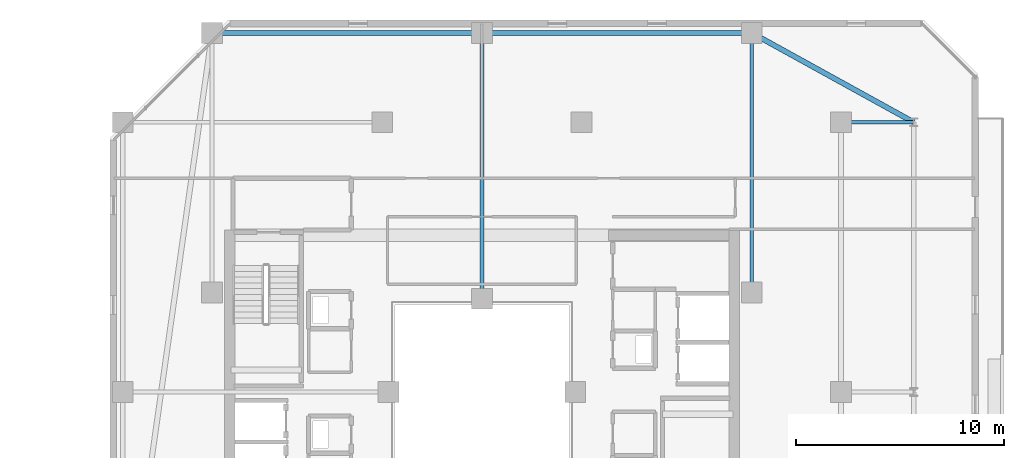
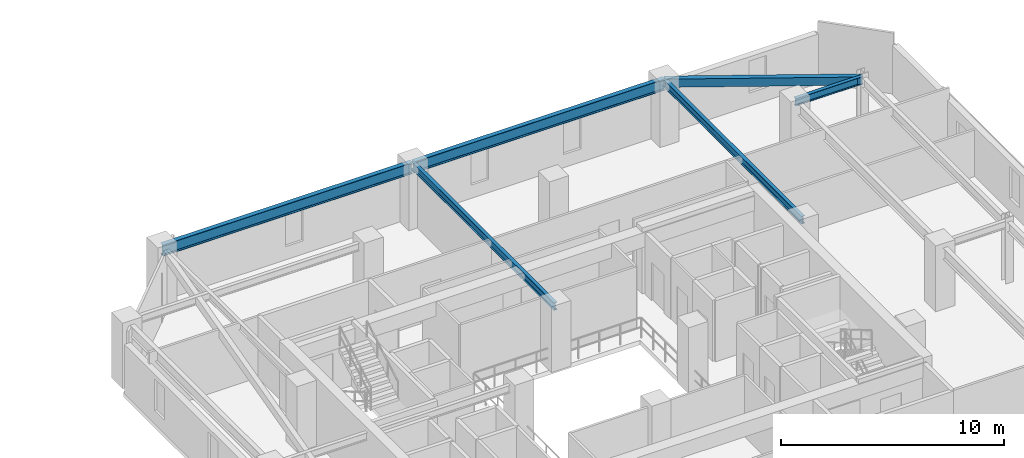
# One storey, part 15 of 31: 6 beams.
"""IFC4 building model written with IfcOpenShell, lengths in metres."""

from ifc_helpers import new_model, si_unit, direction, frame, origin, origin_2d, place, context, subcontext, project, spatial, hollow_rectangle, i_section, extrude, material, material_profile, profile_set, type_object, element, save


model = new_model("IFC4")

# Units and contexts
model_context = context("Model", 3, precision=1e-05, world=origin(), true_north=direction((0.0, 1.0)))
body_context = subcontext(model_context, "Body", "Model", "MODEL_VIEW")
ifc_project = project(units=[si_unit("LENGTHUNIT", "METRE"), si_unit("AREAUNIT", "SQUARE_METRE"), si_unit("VOLUMEUNIT", "CUBIC_METRE"), si_unit("PLANEANGLEUNIT", "RADIAN"), si_unit("MASSUNIT", "GRAM", prefix="KILO")], contexts=[model_context])

# Site, building, storey
site_placement = place(None, origin())
site = spatial("IfcSite", under=ifc_project, at=site_placement, CompositionType="ELEMENT")
building_placement = place(site_placement, origin())
building = spatial("IfcBuilding", under=site, at=building_placement, Name="Thornwick Lancets Civic Towers", CompositionType="ELEMENT")
storey_placement = place(building_placement, frame((0.0, 0.0, 236.699951171875)))
storey = spatial("IfcBuildingStorey", under=building, at=storey_placement, Name="L63", CompositionType="ELEMENT", Elevation=236.699951171875)

# Beams
ifc_material = material(Name="Steel S355JR", Category="steel")
ifc_material_profile_1 = material_profile(ifc_material, i_section(OverallWidth=0.230224609375, OverallDepth=0.6171875, WebThickness=0.01318359375, FlangeThickness=0.022216796875, FilletRadius=0.0126953125, at=origin_2d()), Name="UKB 610x229x140")
ifc_profile_set_1 = profile_set([ifc_material_profile_1], Name="Steel S355JR")
beam_type_1 = type_object("IfcBeamType", Name="BM_GIRD_610_140", PredefinedType="BEAM", material=ifc_profile_set_1)
beam_1_placement = place(storey_placement, frame((101.5, 44.300048828125, 3.051513671875), z_axis=(-1.0, 0.0, 0.0), x_axis=(0.0, -1.0, 0.0)))
element("IfcBeam", 1, at=beam_1_placement, inside=storey, type_object=beam_type_1, Name="BM-SPINE-L63-B-3-4", PredefinedType="BEAM", context=body_context, shape_type="SweptSolid", body=[
    extrude(i_section(OverallWidth=0.230224609375, OverallDepth=0.6171875, WebThickness=0.01318359375, FlangeThickness=0.022216796875, FilletRadius=0.0126953125, at=origin_2d()), origin(), (0.0, 0.0, 1.0), 13.0),
])
beam_2_placement = place(storey_placement, frame((88.419921875, 44.300048828125, 3.051513671875), z_axis=(-1.0, 0.0, 0.0), x_axis=(0.0, -1.0, 0.0)))
element("IfcBeam", 2, at=beam_2_placement, inside=storey, type_object=beam_type_1, Name="BM-SPINE-L63-B-4-5", PredefinedType="BEAM", context=body_context, shape_type="SweptSolid", body=[
    extrude(i_section(OverallWidth=0.230224609375, OverallDepth=0.6171875, WebThickness=0.01318359375, FlangeThickness=0.022216796875, FilletRadius=0.0126953125, at=origin_2d()), origin(), (0.0, 0.0, 1.0), 12.919921875),
])
ifc_material_profile_2 = material_profile(ifc_material, i_section(OverallWidth=0.179443359375, OverallDepth=0.412841796875, WebThickness=0.009521484375, FlangeThickness=0.01611328125, FilletRadius=0.01025390625, at=origin_2d()), Name="UKB 406x178x74")
ifc_profile_set_2 = profile_set([ifc_material_profile_2], Name="Steel S355JR")
beam_type_2 = type_object("IfcBeamType", Name="BM_JOIST_406_74", PredefinedType="JOIST", material=ifc_profile_set_2)
beam_3_placement = place(storey_placement, frame((105.800048828125, 40.0, 3.153564453125), z_axis=(1.0, 0.0, 0.0), x_axis=(0.0, 1.0, 0.0)))
element("IfcBeam", 3, at=beam_3_placement, inside=storey, type_object=beam_type_2, Name="BM-RAD-L63-B03", PredefinedType="JOIST", context=body_context, shape_type="SweptSolid", body=[
    extrude(i_section(OverallWidth=0.179443359375, OverallDepth=0.412841796875, WebThickness=0.009521484375, FlangeThickness=0.01611328125, FilletRadius=0.01025390625, at=origin_2d()), origin(), (0.0, 0.0, 1.0), 3.5),
])
beam_4_placement = place(storey_placement, frame((101.5, 31.800048828125, 3.153564453125), z_axis=(0.0, 1.0, 0.0), x_axis=(-1.0, 0.0, 0.0)))
element("IfcBeam", 4, at=beam_4_placement, inside=storey, type_object=beam_type_2, Name="BM-RADIN-L63-B04", PredefinedType="JOIST", context=body_context, shape_type="SweptSolid", body=[
    extrude(i_section(OverallWidth=0.179443359375, OverallDepth=0.412841796875, WebThickness=0.009521484375, FlangeThickness=0.01611328125, FilletRadius=0.01025390625, at=origin_2d()), origin(), (0.0, 0.0, 1.0), 12.5),
])
beam_5_placement = place(storey_placement, frame((88.5, 31.5, 3.153564453125), z_axis=(0.0, 1.0, 0.0), x_axis=(-1.0, 0.0, 0.0)))
element("IfcBeam", 5, at=beam_5_placement, inside=storey, type_object=beam_type_2, Name="BM-RADIN-L63-B05", PredefinedType="JOIST", context=body_context, shape_type="SweptSolid", body=[
    extrude(i_section(OverallWidth=0.179443359375, OverallDepth=0.412841796875, WebThickness=0.009521484375, FlangeThickness=0.01611328125, FilletRadius=0.01025390625, at=origin_2d()), origin(), (0.0, 0.0, 1.0), 12.800048828125),
])
ifc_material_profile_3 = material_profile(ifc_material, hollow_rectangle(XDim=0.25, YDim=0.449951171875, WallThickness=0.01611328125, at=origin_2d()), Name="RHS 450x250x16")
ifc_profile_set_3 = profile_set([ifc_material_profile_3], Name="Steel S355JR")
beam_type_3 = type_object("IfcBeamType", Name="BM_RING_RHS450", PredefinedType="BEAM", material=ifc_profile_set_3)
beam_6_placement = place(storey_placement, frame((109.300048828125, 40.0, 3.135009765625), z_axis=(-0.875740348708, 0.482782395749, 0.0), x_axis=(-0.482782395749, -0.875740348708, 0.0)))
element("IfcBeam", 6, at=beam_6_placement, inside=storey, type_object=beam_type_3, Name="BM-CHAMF-L63-B-C0", PredefinedType="BEAM", context=body_context, shape_type="SweptSolid", body=[
    extrude(hollow_rectangle(XDim=0.25, YDim=0.449951171875, WallThickness=0.01611328125, at=origin_2d()), origin(), (0.0, 0.0, 1.0), 8.90673828125),
])

save(model, "model.ifc")
